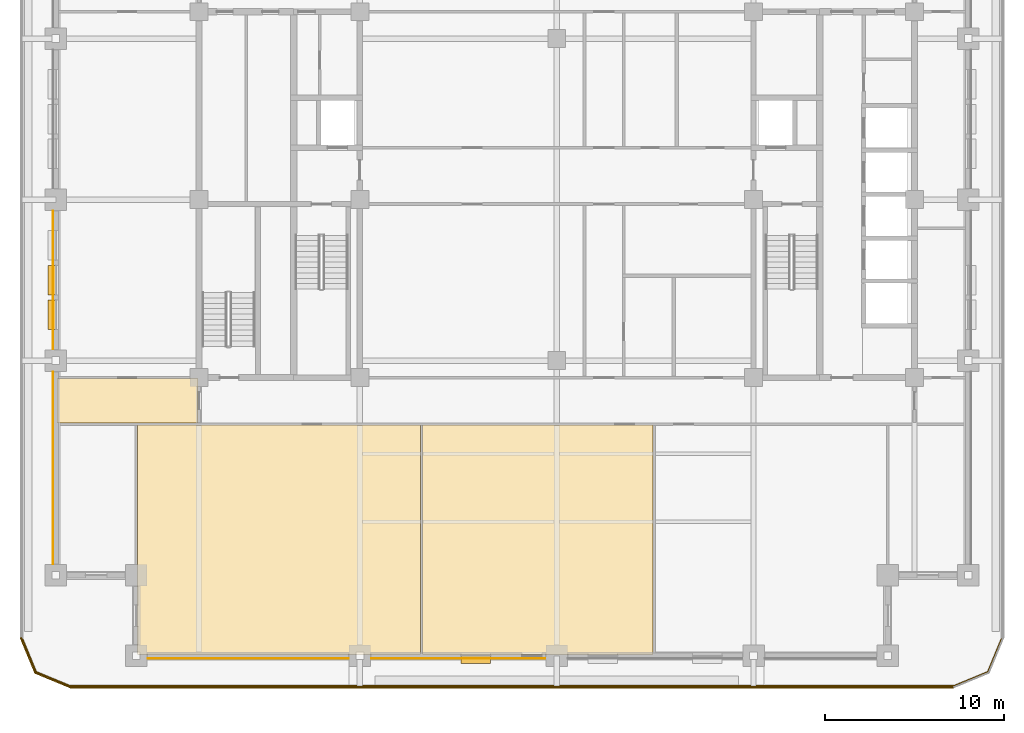
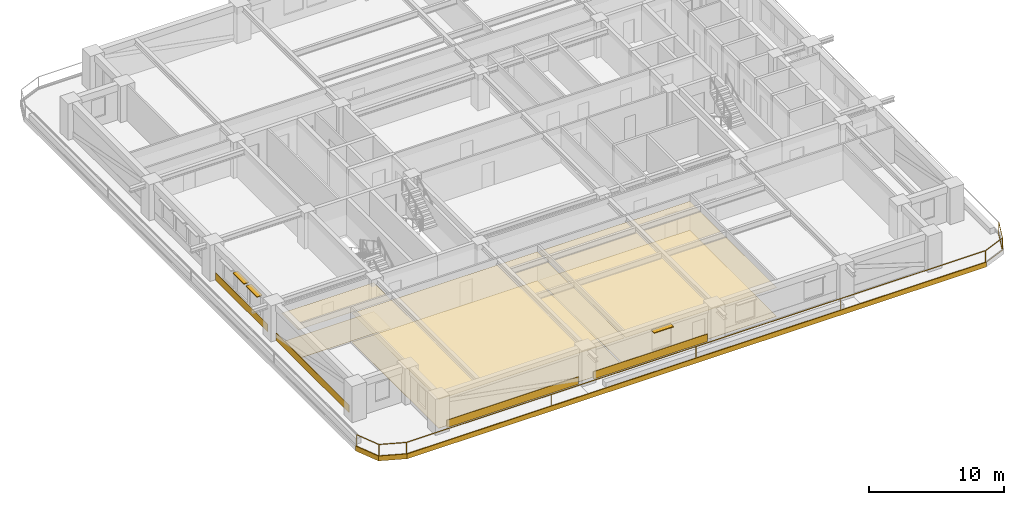
# One storey, part 7 of 15: 13 coverings, 3 shading devices, 1 railing.
"""IFC4 building model written with IfcOpenShell, lengths in metres."""

from ifc_helpers import new_model, si_unit, direction, frame, frame_2d, origin, origin_2d, place, context, subcontext, project, spatial, polyline, rectangle, outline, extrude, material, layer, layer_set, type_object, element, save


model = new_model("IFC4")

# Units and contexts
model_context = context("Model", 3, precision=1e-05, world=origin(), true_north=direction((0.0, 1.0)))
body_context = subcontext(model_context, "Body", "Model", "MODEL_VIEW")
ifc_project = project(units=[si_unit("LENGTHUNIT", "METRE"), si_unit("AREAUNIT", "SQUARE_METRE"), si_unit("VOLUMEUNIT", "CUBIC_METRE"), si_unit("PLANEANGLEUNIT", "RADIAN"), si_unit("MASSUNIT", "GRAM", prefix="KILO")], contexts=[model_context])

# Site, building, storey
site_placement = place(None, origin())
site = spatial("IfcSite", under=ifc_project, at=site_placement, CompositionType="ELEMENT")
building_placement = place(site_placement, origin())
building = spatial("IfcBuilding", under=site, at=building_placement, Name="Zulmaris Gate Convention Tower", CompositionType="ELEMENT")
storey_placement = place(building_placement, frame((0.0, 0.0, 139.199951171875)))
storey = spatial("IfcBuildingStorey", under=building, at=storey_placement, Name="L35", CompositionType="ELEMENT", Elevation=139.199951171875)

# Coverings
ifc_material_1 = material(Name="Precast concrete C40/50", Category="concrete")
ifc_layer_1 = layer(ifc_material_1, 0.0400390625, Name="Precast concrete C40/50")
ifc_layer_set_1 = layer_set([ifc_layer_1], Name="Precast concrete C40/50")
covering_type_1 = type_object("IfcCoveringType", Name="CLAD-SPANDREL-PRECAST", PredefinedType="CLADDING", material=ifc_layer_set_1)
covering_1_placement = place(storey_placement, frame((-22.8701171875, -25.64990234375, 0.0), z_axis=(0.0, 0.0, 1.0), x_axis=(1.0, 0.0, 0.0)))
element("IfcCovering", 1, at=covering_1_placement, inside=storey, type_object=covering_type_1, Name="CLD-L35-S-0_0", PredefinedType="CLADDING", context=body_context, shape_type="SweptSolid", body=[
    extrude(rectangle(XDim=11.240234375, YDim=0.0400390625, at=frame_2d((5.6201171875, 0.0))), origin(), (0.0, 0.0, 1.0), 0.679931640625),
])
covering_2_placement = place(storey_placement, frame((-10.3701171875, -25.64990234375, 0.0), z_axis=(0.0, 0.0, 1.0), x_axis=(1.0, 0.0, 0.0)))
element("IfcCovering", 2, at=covering_2_placement, inside=storey, type_object=covering_type_1, Name="CLD-L35-S-1_0", PredefinedType="CLADDING", context=body_context, shape_type="SweptSolid", body=[
    extrude(rectangle(XDim=9.740234375, YDim=0.0400390625, at=frame_2d((4.8701171875, 0.0))), origin(), (0.0, 0.0, 1.0), 0.679931640625),
])
covering_3_placement = place(storey_placement, frame((-28.14990234375, -9.6298828125, 0.0), z_axis=(0.0, 0.0, 1.0), x_axis=(0.0, -1.0, 0.0)))
element("IfcCovering", 3, at=covering_3_placement, inside=storey, type_object=covering_type_1, Name="CLD-L35-W-0_0", PredefinedType="CLADDING", context=body_context, shape_type="SweptSolid", body=[
    extrude(rectangle(XDim=10.740234375, YDim=0.0400390625, at=frame_2d((5.3701171875, 0.0))), origin(), (0.0, 0.0, 1.0), 0.679931640625),
])
covering_4_placement = place(storey_placement, frame((-28.14990234375, -0.6298828125, 0.0), z_axis=(0.0, 0.0, 1.0), x_axis=(0.0, -1.0, 0.0)))
element("IfcCovering", 4, at=covering_4_placement, inside=storey, type_object=covering_type_1, Name="CLD-L35-W-1_0", PredefinedType="CLADDING", context=body_context, shape_type="SweptSolid", body=[
    extrude(rectangle(XDim=7.740234375, YDim=0.0400390625, at=frame_2d((3.8701171875, 0.0))), origin(), (0.0, 0.0, 1.0), 0.679931640625),
])
ifc_material_2 = material(Name="White Glazed Architectural Precast Concrete C40/50", Category="concrete")
ifc_layer_2 = layer(ifc_material_2, 0.080078125, Name="White Glazed Architectural Precast Concrete C40/50")
ifc_layer_set_2 = layer_set([ifc_layer_2], Name="White Glazed Architectural Precast Concrete C40/50")
covering_type_2 = type_object("IfcCoveringType", Name="CLAD-TRAY-FASCIA", PredefinedType="CLADDING", material=ifc_layer_set_2)
covering_5_placement = place(storey_placement, frame((-29.962890625, -24.484619140625, -0.2900390625), z_axis=(0.0, 0.0, 1.0), x_axis=(0.382656984709, -0.923890487046, 0.0)))
element("IfcCovering", 5, at=covering_5_placement, inside=storey, type_object=covering_type_2, Name="FSC-L35-TR-00", PredefinedType="CLADDING", context=body_context, shape_type="SweptSolid", body=[
    extrude(rectangle(XDim=2.14306640625, YDim=0.080078125, at=frame_2d((1.071533203125, 0.0))), origin(), (0.0, 0.0, 1.0), 0.440185546875),
])
covering_6_placement = place(storey_placement, frame((-29.16455078125, -26.44287109375, -0.2900390625), z_axis=(0.0, 0.0, 1.0), x_axis=(0.923873803533, -0.382697263049, 0.0)))
element("IfcCovering", 6, at=covering_6_placement, inside=storey, type_object=covering_type_2, Name="FSC-L35-TR-01", PredefinedType="CLADDING", context=body_context, shape_type="SweptSolid", body=[
    extrude(rectangle(XDim=2.142822265625, YDim=0.080078125, at=frame_2d((1.0712890625, 0.0))), origin(), (0.0, 0.0, 1.0), 0.440185546875),
])
covering_7_placement = place(storey_placement, frame((-27.199951171875, -27.260009765625, -0.2900390625), z_axis=(0.0, 0.0, 1.0), x_axis=(1.0, 0.0, 0.0)))
element("IfcCovering", 7, at=covering_7_placement, inside=storey, type_object=covering_type_2, Name="FSC-L35-TR-02", PredefinedType="CLADDING", context=body_context, shape_type="SweptSolid", body=[
    extrude(rectangle(XDim=49.39990234375, YDim=0.080078125, at=frame_2d((24.699951171875, 0.0))), origin(), (0.0, 0.0, 1.0), 0.440185546875),
])
ifc_material_3 = material(Name="Mineral Fibre Acoustic Ceiling Tile")
ifc_layer_3 = layer(ifc_material_3, 0.02001953125, Name="Mineral Fibre Acoustic Ceiling Tile")
ifc_layer_set_3 = layer_set([ifc_layer_3], Name="Mineral Fibre Acoustic Ceiling Tile")
covering_type_3 = type_object("IfcCoveringType", Name="CLG-ACOUSTIC-600", PredefinedType="CEILING", material=ifc_layer_set_3)
covering_8_placement = place(storey_placement, frame((0.0, 0.0, 2.604736328125)))
element("IfcCovering", 8, at=covering_8_placement, inside=storey, type_object=covering_type_3, Name="CLG-L35-R35", PredefinedType="CEILING", context=body_context, shape_type="SweptSolid", body=[
    extrude(outline(polyline([(-23.43994140625, -25.43994140625), (-7.610107421875, -25.43994140625), (-7.610107421875, -12.610107421875), (-23.43994140625, -12.610107421875), (-23.43994140625, -25.43994140625)])), origin(), (0.0, 0.0, 1.0), 0.02001953125),
])
covering_9_placement = place(storey_placement, frame((0.0, 0.0, 2.604736328125)))
element("IfcCovering", 9, at=covering_9_placement, inside=storey, type_object=covering_type_3, Name="CLG-L35-R36", PredefinedType="CEILING", context=body_context, shape_type="SweptSolid", body=[
    extrude(outline(polyline([(-7.489990234375, -25.43994140625), (5.389892578125, -25.43994140625), (5.389892578125, -12.610107421875), (-7.489990234375, -12.610107421875), (-7.489990234375, -25.43994140625)])), origin(), (0.0, 0.0, 1.0), 0.02001953125),
])
covering_10_placement = place(storey_placement, frame((0.0, 0.0, 2.604736328125)))
element("IfcCovering", 10, at=covering_10_placement, inside=storey, type_object=covering_type_3, Name="CLG-L35-R46", PredefinedType="CEILING", context=body_context, shape_type="SweptSolid", body=[
    extrude(outline(polyline([(-27.93994140625, -12.489990234375), (-20.06005859375, -12.489990234375), (-20.06005859375, -10.010009765625), (-27.93994140625, -10.010009765625), (-27.93994140625, -12.489990234375)])), origin(), (0.0, 0.0, 1.0), 0.02001953125),
])
ifc_material_4 = material(Name="Woven Acoustic Wool Carpet Tile")
ifc_layer_4 = layer(ifc_material_4, 0.02001953125, Name="Woven Acoustic Wool Carpet Tile")
ifc_layer_set_4 = layer_set([ifc_layer_4], Name="Woven Acoustic Wool Carpet Tile")
covering_type_4 = type_object("IfcCoveringType", Name="FLR-CARPET-12", PredefinedType="FLOORING", material=ifc_layer_set_4)
covering_11_placement = place(storey_placement, origin())
element("IfcCovering", 11, at=covering_11_placement, inside=storey, type_object=covering_type_4, Name="FLR-L35-R35", PredefinedType="FLOORING", context=body_context, shape_type="SweptSolid", body=[
    extrude(outline(polyline([(-23.43994140625, -25.43994140625), (-7.610107421875, -25.43994140625), (-7.610107421875, -12.610107421875), (-23.43994140625, -12.610107421875), (-23.43994140625, -25.43994140625)])), origin(), (0.0, 0.0, 1.0), 0.02001953125),
])
covering_12_placement = place(storey_placement, origin())
element("IfcCovering", 12, at=covering_12_placement, inside=storey, type_object=covering_type_4, Name="FLR-L35-R36", PredefinedType="FLOORING", context=body_context, shape_type="SweptSolid", body=[
    extrude(outline(polyline([(-7.489990234375, -25.43994140625), (5.389892578125, -25.43994140625), (5.389892578125, -12.610107421875), (-7.489990234375, -12.610107421875), (-7.489990234375, -25.43994140625)])), origin(), (0.0, 0.0, 1.0), 0.02001953125),
])
covering_13_placement = place(storey_placement, origin())
element("IfcCovering", 13, at=covering_13_placement, inside=storey, type_object=covering_type_4, Name="FLR-L35-R46", PredefinedType="FLOORING", context=body_context, shape_type="SweptSolid", body=[
    extrude(outline(polyline([(-27.93994140625, -12.489990234375), (-20.06005859375, -12.489990234375), (-20.06005859375, -10.010009765625), (-27.93994140625, -10.010009765625), (-27.93994140625, -12.489990234375)])), origin(), (0.0, 0.0, 1.0), 0.02001953125),
])

# Railing
ifc_material_5 = material(Name="Laminated Glass and Stainless Steel", Category="steel")
railing_type = type_object("IfcRailingType", Name="RL-BALC-1150", PredefinedType="BALUSTRADE", material=ifc_material_5)
railing_placement = place(storey_placement, frame((-29.8798828125, -24.5, -0.010009765625)))
element("IfcRailing", 14, at=railing_placement, inside=storey, type_object=railing_type, Name="RL-L35-BALC-S", PredefinedType="BALUSTRADE", context=body_context, shape_type="SweptSolid", body=[
    extrude(rectangle(XDim=0.048095703125, YDim=0.048095703125, at=origin_2d()), frame((0.0, 0.0, 1.1259765625), z_axis=(0.382670664694, -0.92388482095, 0.0), x_axis=(0.92388482095, 0.382670664694, 0.0)), (0.0, 0.0, 1.0), 2.051025390625),
    extrude(rectangle(XDim=0.048095703125, YDim=0.048095703125, at=origin_2d()), frame((0.0, 0.0, 0.02392578125), z_axis=(0.382670664694, -0.92388482095, 0.0), x_axis=(0.92388482095, 0.382670664694, 0.0)), (0.0, 0.0, 1.0), 2.051025390625),
    extrude(rectangle(XDim=0.048095703125, YDim=0.048095703125, at=origin_2d()), frame((0.784912109375, -1.89501953125, 1.1259765625), z_axis=(0.92388482095, -0.382670664694, 0.0), x_axis=(0.382670664694, 0.92388482095, 0.0)), (0.0, 0.0, 1.0), 2.051025390625),
    extrude(rectangle(XDim=0.048095703125, YDim=0.048095703125, at=origin_2d()), frame((0.784912109375, -1.89501953125, 0.02392578125), z_axis=(0.92388482095, -0.382670664694, 0.0), x_axis=(0.382670664694, 0.92388482095, 0.0)), (0.0, 0.0, 1.0), 2.051025390625),
    extrude(rectangle(XDim=0.048095703125, YDim=0.048095703125, at=origin_2d()), frame((2.679931640625, -2.679931640625, 1.1259765625), z_axis=(1.0, 0.0, 0.0), x_axis=(0.0, 1.0, 0.0)), (0.0, 0.0, 1.0), 49.39990234375),
    extrude(rectangle(XDim=0.048095703125, YDim=0.048095703125, at=origin_2d()), frame((2.679931640625, -2.679931640625, 0.02392578125), z_axis=(1.0, 0.0, 0.0), x_axis=(0.0, 1.0, 0.0)), (0.0, 0.0, 1.0), 49.39990234375),
    extrude(rectangle(XDim=0.048095703125, YDim=0.048095703125, at=origin_2d()), frame((52.079833984375, -2.679931640625, 1.1259765625), z_axis=(0.92388482095, 0.382670664694, 0.0), x_axis=(-0.382670664694, 0.92388482095, 0.0)), (0.0, 0.0, 1.0), 2.051025390625),
    extrude(rectangle(XDim=0.048095703125, YDim=0.048095703125, at=origin_2d()), frame((52.079833984375, -2.679931640625, 0.02392578125), z_axis=(0.92388482095, 0.382670664694, 0.0), x_axis=(-0.382670664694, 0.92388482095, 0.0)), (0.0, 0.0, 1.0), 2.051025390625),
    extrude(rectangle(XDim=0.048095703125, YDim=0.048095703125, at=origin_2d()), frame((53.974853515625, -1.89501953125, 1.1259765625), z_axis=(0.382670664694, 0.92388482095, 0.0), x_axis=(-0.92388482095, 0.382670664694, 0.0)), (0.0, 0.0, 1.0), 2.051025390625),
    extrude(rectangle(XDim=0.048095703125, YDim=0.048095703125, at=origin_2d()), frame((53.974853515625, -1.89501953125, 0.02392578125), z_axis=(0.382670664694, 0.92388482095, 0.0), x_axis=(-0.92388482095, 0.382670664694, 0.0)), (0.0, 0.0, 1.0), 2.051025390625),
    extrude(rectangle(XDim=0.0419921875, YDim=0.0419921875, at=origin_2d()), origin(), (0.0, 0.0, 1.0), 1.101806640625),
    extrude(rectangle(XDim=0.0419921875, YDim=0.0419921875, at=origin_2d()), frame((0.784912109375, -1.89501953125, 0.0)), (0.0, 0.0, 1.0), 1.101806640625),
    extrude(rectangle(XDim=0.0419921875, YDim=0.0419921875, at=origin_2d()), frame((2.679931640625, -2.679931640625, 0.0)), (0.0, 0.0, 1.0), 1.101806640625),
    extrude(rectangle(XDim=0.0419921875, YDim=0.0419921875, at=origin_2d()), frame((15.02978515625, -2.679931640625, 0.0)), (0.0, 0.0, 1.0), 1.101806640625),
    extrude(rectangle(XDim=0.0419921875, YDim=0.0419921875, at=origin_2d()), frame((27.3798828125, -2.679931640625, 0.0)), (0.0, 0.0, 1.0), 1.101806640625),
    extrude(rectangle(XDim=0.0419921875, YDim=0.0419921875, at=origin_2d()), frame((39.72998046875, -2.679931640625, 0.0)), (0.0, 0.0, 1.0), 1.101806640625),
    extrude(rectangle(XDim=0.0419921875, YDim=0.0419921875, at=origin_2d()), frame((52.079833984375, -2.679931640625, 0.0)), (0.0, 0.0, 1.0), 1.101806640625),
    extrude(rectangle(XDim=0.0419921875, YDim=0.0419921875, at=origin_2d()), frame((53.974853515625, -1.89501953125, 0.0)), (0.0, 0.0, 1.0), 1.101806640625),
    extrude(rectangle(XDim=0.0419921875, YDim=0.0419921875, at=origin_2d()), frame((54.759765625, 0.0, 0.0)), (0.0, 0.0, 1.0), 1.101806640625),
])

# Shading devices
ifc_material_6 = material(Name="Glazed Ceramic Terracotta", Category="masonry")
ifc_layer_5 = layer(ifc_material_6, 0.070068359375, Name="Glazed Ceramic Terracotta")
ifc_layer_set_5 = layer_set([ifc_layer_5], Name="Glazed Ceramic Terracotta")
shading_device_type = type_object("IfcShadingDeviceType", Name="SHD-SUNSHADE-TC", PredefinedType="AWNING", material=ifc_layer_set_5)
shading_device_placement = place(storey_placement, frame((-5.35107421875, -25.719970703125, 2.530029296875), z_axis=(0.0, 0.0, 1.0), x_axis=(1.0, 0.0, 0.0)))
element("IfcShadingDevice", 15, at=shading_device_placement, inside=storey, type_object=shading_device_type, Name="SHD-EW-L35-S-1_0-3", PredefinedType="AWNING", context=body_context, shape_type="SweptSolid", body=[
    extrude(rectangle(XDim=1.650146484375, YDim=0.43994140625, at=frame_2d((0.8251953125, 0.0))), origin(), (0.0, 0.0, 1.0), 0.070068359375),
])
for number, where, z_axis, x_axis, name in (
    (16, (-28.219970703125, -3.675048828125, 2.530029296875), (0.0, 0.0, 1.0), (0.0, -1.0, 0.0), "SHD-EW-L35-W-1_0-2"),
    (17, (-28.219970703125, -5.610107421875, 2.530029296875), (0.0, 0.0, 1.0), (0.0, -1.0, 0.0), "SHD-EW-L35-W-1_0-3"),
):
    element("IfcShadingDevice", number, at=place(storey_placement, frame(where, z_axis=z_axis, x_axis=x_axis)), inside=storey, type_object=shading_device_type, Name=name, PredefinedType="AWNING", context=body_context, shape_type="SweptSolid", body=[
        extrude(rectangle(XDim=1.64990234375, YDim=0.43994140625, at=frame_2d((0.824951171875, 0.0))), origin(), (0.0, 0.0, 1.0), 0.070068359375),
    ])

save(model, "model.ifc")
